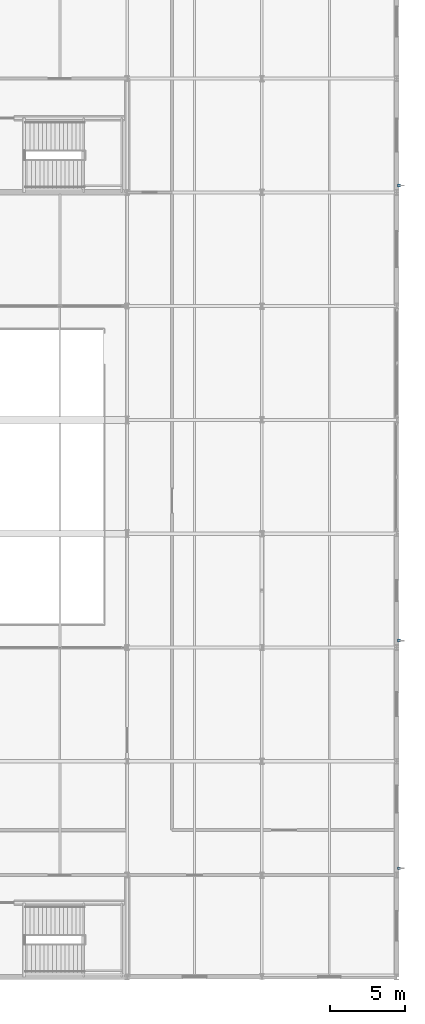
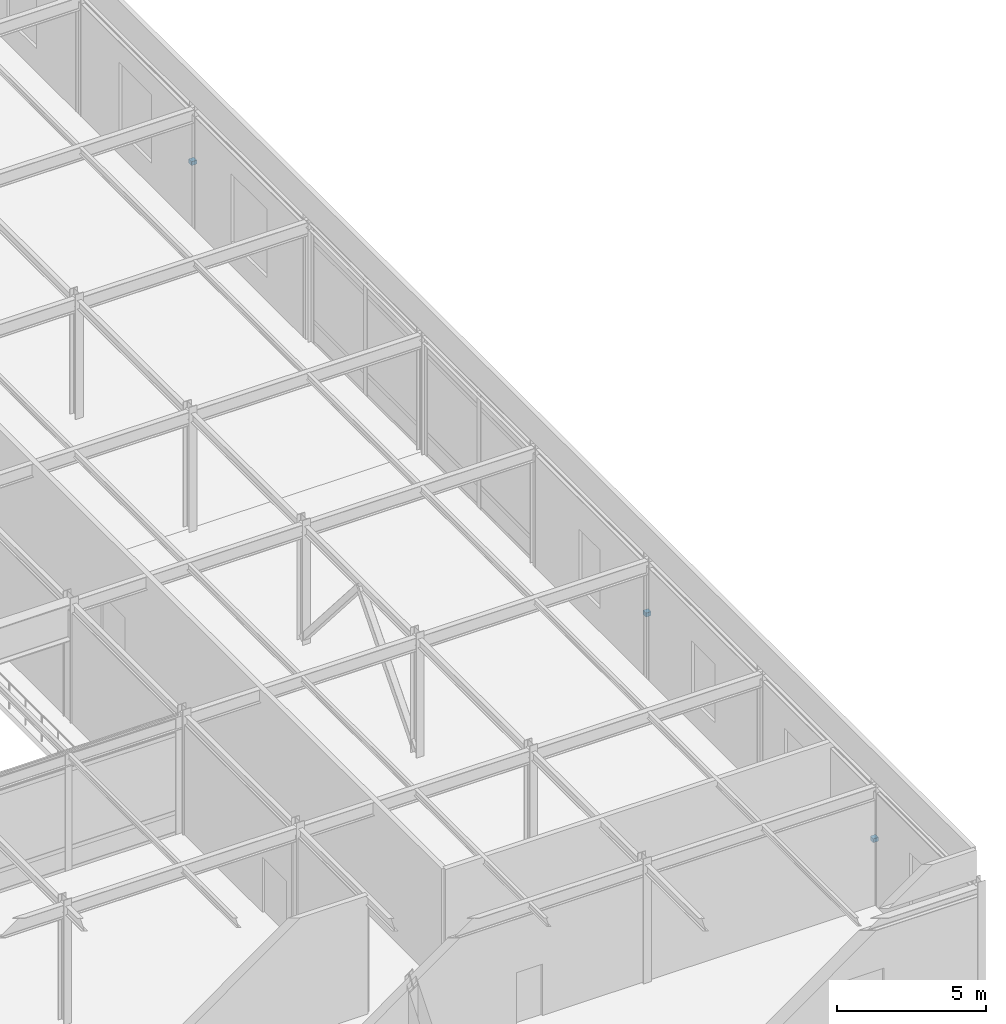
# One storey, part 69 of 79: 3 discrete accessories.
"""IFC4 building model written with IfcOpenShell, lengths in metres."""

from ifc_helpers import new_model, si_unit, direction, frame, origin, origin_2d, place, context, subcontext, project, spatial, rectangle, extrude, material, type_object, element, save


model = new_model("IFC4")

# Units and contexts
model_context = context("Model", 3, precision=1e-05, world=origin(), true_north=direction((0.0, 1.0)))
body_context = subcontext(model_context, "Body", "Model", "MODEL_VIEW")
ifc_project = project(units=[si_unit("LENGTHUNIT", "METRE"), si_unit("AREAUNIT", "SQUARE_METRE"), si_unit("VOLUMEUNIT", "CUBIC_METRE"), si_unit("PLANEANGLEUNIT", "RADIAN"), si_unit("MASSUNIT", "GRAM", prefix="KILO")], contexts=[model_context])

# Site, building, storey
site_placement = place(None, origin())
site = spatial("IfcSite", under=ifc_project, at=site_placement, CompositionType="ELEMENT")
building_placement = place(site_placement, origin())
building = spatial("IfcBuilding", under=site, at=building_placement, Name="Shalkamar Park Central Library", CompositionType="ELEMENT")
storey_placement = place(building_placement, frame((0.0, 0.0, 10.5)))
storey = spatial("IfcBuildingStorey", under=building, at=storey_placement, Name="L03", CompositionType="ELEMENT", Elevation=10.5)

# Discrete accessories
ifc_material = material(Name="Steel S355", Category="steel")
discrete_accessory_type = type_object("IfcDiscreteAccessoryType", Name="Stainless Facade Bracket", PredefinedType="BRACKET", material=ifc_material)
for number, where, z_axis, x_axis, name in (
    (1, (273.14501953125, 255.656005859375, 2.208984375), (0.0, 0.0, 1.0), (1.0, 0.0, 0.0), "Solar Fin Bracket L03-004"),
    (2, (273.14501953125, 270.85595703125, 2.208984375), (0.0, 0.0, 1.0), (1.0, 0.0, 0.0), "Solar Fin Bracket L03-005"),
    (3, (273.14501953125, 301.256103515625, 2.208984375), (0.0, 0.0, 1.0), (1.0, 0.0, 0.0), "Solar Fin Bracket L03-006"),
):
    element("IfcDiscreteAccessory", number, at=place(storey_placement, frame(where, z_axis=z_axis, x_axis=x_axis)), inside=storey, type_object=discrete_accessory_type, Name=name, PredefinedType="BRACKET", context=body_context, shape_type="SweptSolid", body=[
        extrude(rectangle(XDim=0.199951171875, YDim=0.199951171875, at=origin_2d()), origin(), (0.0, 0.0, 1.0), 0.159912109375),
    ])

save(model, "model.ifc")
